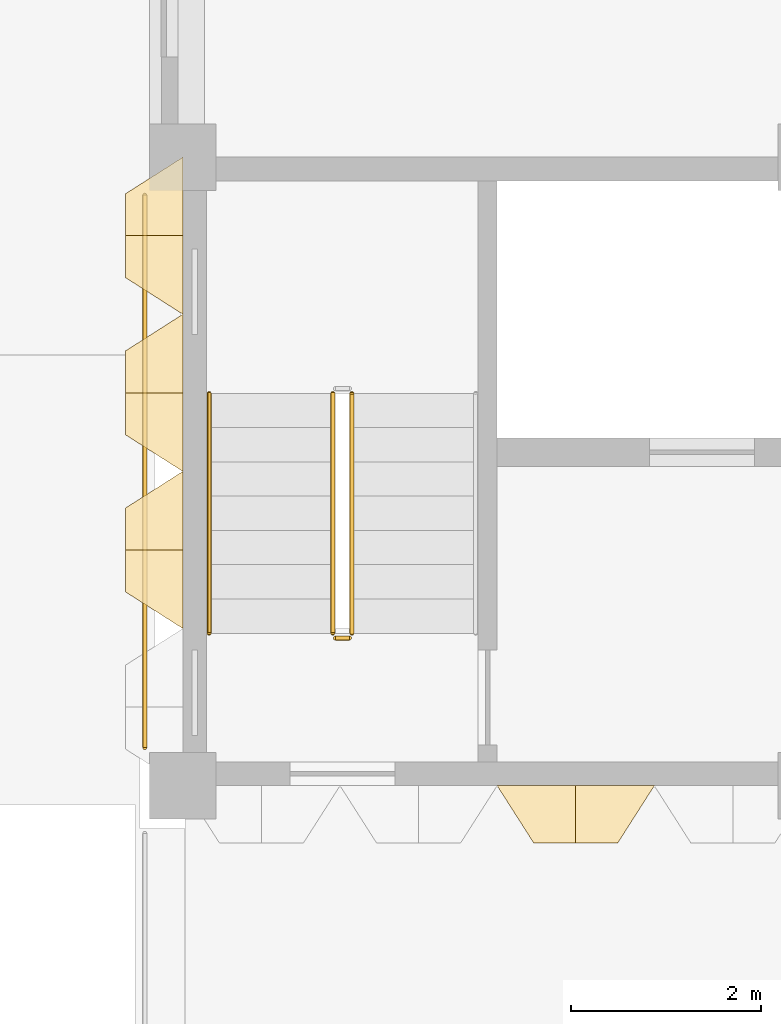
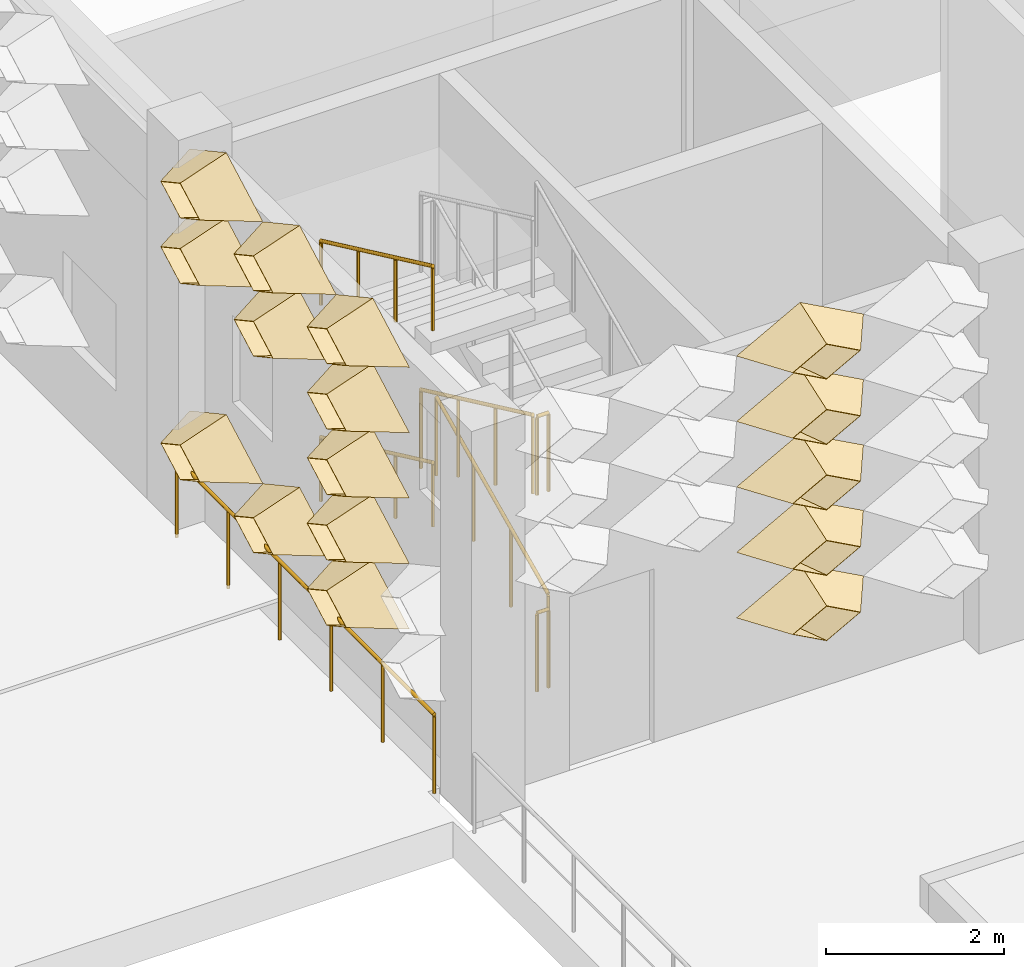
# One storey, part 55 of 85: 16 coverings, 7 railings.
"""IFC4 building model written with IfcOpenShell, lengths in metres."""

from ifc_helpers import new_model, entity, si_unit, direction, frame, origin, origin_2d, place, context, subcontext, project, spatial, circle, extrude, material, layer, layer_set, type_object, element, save


model = new_model("IFC4")

# Units and contexts
model_context = context("Model", 3, precision=1e-05, world=origin(), true_north=direction((0.0, 1.0)))
body_context = subcontext(model_context, "Body", "Model", "MODEL_VIEW")
ifc_project = project(units=[si_unit("LENGTHUNIT", "METRE"), si_unit("AREAUNIT", "SQUARE_METRE"), si_unit("VOLUMEUNIT", "CUBIC_METRE"), si_unit("PLANEANGLEUNIT", "RADIAN"), si_unit("MASSUNIT", "GRAM", prefix="KILO")], contexts=[model_context])

# Site, building, storey
site_placement = place(None, origin())
site = spatial("IfcSite", under=ifc_project, at=site_placement, CompositionType="ELEMENT")
building_placement = place(site_placement, origin())
building = spatial("IfcBuilding", under=site, at=building_placement, Name="Lantern Court Research Institute", CompositionType="ELEMENT")
storey_placement = place(building_placement, origin())
storey = spatial("IfcBuildingStorey", under=building, at=storey_placement, Name="L00", CompositionType="ELEMENT", Elevation=0.0)

# Coverings
ifc_material_1 = material(Name="Anodised aluminium", Category="aluminium")
ifc_layer = layer(ifc_material_1, 0.01611328125)
ifc_layer_set = layer_set([ifc_layer], Name="Anodised aluminium")
covering_type = type_object("IfcCoveringType", Name="Fin cassette 1650 x 900 x 600 aluminium", PredefinedType="CLADDING", material=ifc_layer_set)
covering_1_placement = place(storey_placement, frame((4.125, 49.5, 1.35009765625), z_axis=(0.0, -1.0, 0.0), x_axis=(1.0, 0.0, 0.0)))
cartesian_point_1 = entity("IfcCartesianPoint", [0.824951171875, 0.0])
cartesian_point_2 = entity("IfcCartesianPoint", [0.79150390625, 0.0])
cartesian_point_3 = entity("IfcCartesianPoint", [0.44189453125, 0.0])
cartesian_point_4 = entity("IfcCartesianPoint", [0.43359375, 0.0])
element("IfcCovering", 1, at=covering_1_placement, inside=storey, type_object=covering_type, Name="Fin cassette V3S-L00 2.3", PredefinedType="CLADDING", context=body_context, shape_type="SweptSolid", body=[
    entity("IfcExtrudedAreaSolidTapered", entity("IfcArbitraryProfileDefWithVoids", "AREA", None, entity("IfcPolyline", [cartesian_point_1, entity("IfcCartesianPoint", [0.0, 0.449951171875]), entity("IfcCartesianPoint", [-0.824951171875, 0.0]), entity("IfcCartesianPoint", [0.0, -0.449951171875]), cartesian_point_1]), [entity("IfcPolyline", [cartesian_point_2, entity("IfcCartesianPoint", [0.0, 0.431884765625]), entity("IfcCartesianPoint", [-0.79150390625, 0.0]), entity("IfcCartesianPoint", [0.0, -0.431884765625]), cartesian_point_2])]), entity("IfcAxis2Placement3D", entity("IfcCartesianPoint", [0.0, 0.0, 0.0])), entity("IfcDirection", [0.0, 0.0, 1.0]), 0.60009765625, entity("IfcArbitraryProfileDefWithVoids", "AREA", None, entity("IfcPolyline", [cartesian_point_3, entity("IfcCartesianPoint", [0.0, 0.240966796875]), entity("IfcCartesianPoint", [-0.44189453125, 0.0]), entity("IfcCartesianPoint", [0.0, -0.240966796875]), cartesian_point_3]), [entity("IfcPolyline", [cartesian_point_4, entity("IfcCartesianPoint", [0.0, 0.236572265625]), entity("IfcCartesianPoint", [-0.43359375, 0.0]), entity("IfcCartesianPoint", [0.0, -0.236572265625]), cartesian_point_4])])),
])
covering_2_placement = place(storey_placement, frame((4.125, 49.5, 2.25), z_axis=(0.0, -1.0, 0.0), x_axis=(1.0, 0.0, 0.0)))
cartesian_point_5 = entity("IfcCartesianPoint", [0.824951171875, 0.0])
cartesian_point_6 = entity("IfcCartesianPoint", [0.79150390625, 0.0])
cartesian_point_7 = entity("IfcCartesianPoint", [0.44189453125, 0.0])
cartesian_point_8 = entity("IfcCartesianPoint", [0.43359375, 0.0])
element("IfcCovering", 2, at=covering_2_placement, inside=storey, type_object=covering_type, Name="Fin cassette V3S-L00 3.3", PredefinedType="CLADDING", context=body_context, shape_type="SweptSolid", body=[
    entity("IfcExtrudedAreaSolidTapered", entity("IfcArbitraryProfileDefWithVoids", "AREA", None, entity("IfcPolyline", [cartesian_point_5, entity("IfcCartesianPoint", [0.0, 0.449951171875]), entity("IfcCartesianPoint", [-0.824951171875, 0.0]), entity("IfcCartesianPoint", [0.0, -0.449951171875]), cartesian_point_5]), [entity("IfcPolyline", [cartesian_point_6, entity("IfcCartesianPoint", [0.0, 0.431884765625]), entity("IfcCartesianPoint", [-0.79150390625, 0.0]), entity("IfcCartesianPoint", [0.0, -0.431884765625]), cartesian_point_6])]), entity("IfcAxis2Placement3D", entity("IfcCartesianPoint", [0.0, 0.0, 0.0])), entity("IfcDirection", [0.0, 0.0, 1.0]), 0.60009765625, entity("IfcArbitraryProfileDefWithVoids", "AREA", None, entity("IfcPolyline", [cartesian_point_7, entity("IfcCartesianPoint", [0.0, 0.240966796875]), entity("IfcCartesianPoint", [-0.44189453125, 0.0]), entity("IfcCartesianPoint", [0.0, -0.240966796875]), cartesian_point_7]), [entity("IfcPolyline", [cartesian_point_8, entity("IfcCartesianPoint", [0.0, 0.236572265625]), entity("IfcCartesianPoint", [-0.43359375, 0.0]), entity("IfcCartesianPoint", [0.0, -0.236572265625]), cartesian_point_8])])),
])
covering_3_placement = place(storey_placement, frame((4.125, 49.5, 3.14990234375), z_axis=(0.0, -1.0, 0.0), x_axis=(1.0, 0.0, 0.0)))
cartesian_point_9 = entity("IfcCartesianPoint", [0.824951171875, 0.0])
cartesian_point_10 = entity("IfcCartesianPoint", [0.79150390625, 0.0])
cartesian_point_11 = entity("IfcCartesianPoint", [0.44189453125, 0.0])
cartesian_point_12 = entity("IfcCartesianPoint", [0.43359375, 0.0])
element("IfcCovering", 3, at=covering_3_placement, inside=storey, type_object=covering_type, Name="Fin cassette V3S-L00 4.3", PredefinedType="CLADDING", context=body_context, shape_type="SweptSolid", body=[
    entity("IfcExtrudedAreaSolidTapered", entity("IfcArbitraryProfileDefWithVoids", "AREA", None, entity("IfcPolyline", [cartesian_point_9, entity("IfcCartesianPoint", [0.0, 0.449951171875]), entity("IfcCartesianPoint", [-0.824951171875, 0.0]), entity("IfcCartesianPoint", [0.0, -0.449951171875]), cartesian_point_9]), [entity("IfcPolyline", [cartesian_point_10, entity("IfcCartesianPoint", [0.0, 0.431884765625]), entity("IfcCartesianPoint", [-0.79150390625, 0.0]), entity("IfcCartesianPoint", [0.0, -0.431884765625]), cartesian_point_10])]), entity("IfcAxis2Placement3D", entity("IfcCartesianPoint", [0.0, 0.0, 0.0])), entity("IfcDirection", [0.0, 0.0, 1.0]), 0.60009765625, entity("IfcArbitraryProfileDefWithVoids", "AREA", None, entity("IfcPolyline", [cartesian_point_11, entity("IfcCartesianPoint", [0.0, 0.240966796875]), entity("IfcCartesianPoint", [-0.44189453125, 0.0]), entity("IfcCartesianPoint", [0.0, -0.240966796875]), cartesian_point_11]), [entity("IfcPolyline", [cartesian_point_12, entity("IfcCartesianPoint", [0.0, 0.236572265625]), entity("IfcCartesianPoint", [-0.43359375, 0.0]), entity("IfcCartesianPoint", [0.0, -0.236572265625]), cartesian_point_12])])),
])
covering_4_placement = place(storey_placement, frame((4.125, 49.5, 4.050048828125), z_axis=(0.0, -1.0, 0.0), x_axis=(1.0, 0.0, 0.0)))
cartesian_point_13 = entity("IfcCartesianPoint", [0.824951171875, 0.0])
cartesian_point_14 = entity("IfcCartesianPoint", [0.79150390625, 0.0])
cartesian_point_15 = entity("IfcCartesianPoint", [0.44189453125, 0.0])
cartesian_point_16 = entity("IfcCartesianPoint", [0.43359375, 0.0])
element("IfcCovering", 4, at=covering_4_placement, inside=storey, type_object=covering_type, Name="Fin cassette V3S-L00 5.3", PredefinedType="CLADDING", context=body_context, shape_type="SweptSolid", body=[
    entity("IfcExtrudedAreaSolidTapered", entity("IfcArbitraryProfileDefWithVoids", "AREA", None, entity("IfcPolyline", [cartesian_point_13, entity("IfcCartesianPoint", [0.0, 0.449951171875]), entity("IfcCartesianPoint", [-0.824951171875, 0.0]), entity("IfcCartesianPoint", [0.0, -0.449951171875]), cartesian_point_13]), [entity("IfcPolyline", [cartesian_point_14, entity("IfcCartesianPoint", [0.0, 0.431884765625]), entity("IfcCartesianPoint", [-0.79150390625, 0.0]), entity("IfcCartesianPoint", [0.0, -0.431884765625]), cartesian_point_14])]), entity("IfcAxis2Placement3D", entity("IfcCartesianPoint", [0.0, 0.0, 0.0])), entity("IfcDirection", [0.0, 0.0, 1.0]), 0.60009765625, entity("IfcArbitraryProfileDefWithVoids", "AREA", None, entity("IfcPolyline", [cartesian_point_15, entity("IfcCartesianPoint", [0.0, 0.240966796875]), entity("IfcCartesianPoint", [-0.44189453125, 0.0]), entity("IfcCartesianPoint", [0.0, -0.240966796875]), cartesian_point_15]), [entity("IfcPolyline", [cartesian_point_16, entity("IfcCartesianPoint", [0.0, 0.236572265625]), entity("IfcCartesianPoint", [-0.43359375, 0.0]), entity("IfcCartesianPoint", [0.0, -0.236572265625]), cartesian_point_16])])),
])
covering_5_placement = place(storey_placement, frame((4.125, 49.5, 4.949951171875), z_axis=(0.0, -1.0, 0.0), x_axis=(1.0, 0.0, 0.0)))
cartesian_point_17 = entity("IfcCartesianPoint", [0.824951171875, 0.0])
cartesian_point_18 = entity("IfcCartesianPoint", [0.79150390625, 0.0])
cartesian_point_19 = entity("IfcCartesianPoint", [0.44189453125, 0.0])
cartesian_point_20 = entity("IfcCartesianPoint", [0.43359375, 0.0])
element("IfcCovering", 5, at=covering_5_placement, inside=storey, type_object=covering_type, Name="Fin cassette V3S-L00 6.3", PredefinedType="CLADDING", context=body_context, shape_type="SweptSolid", body=[
    entity("IfcExtrudedAreaSolidTapered", entity("IfcArbitraryProfileDefWithVoids", "AREA", None, entity("IfcPolyline", [cartesian_point_17, entity("IfcCartesianPoint", [0.0, 0.449951171875]), entity("IfcCartesianPoint", [-0.824951171875, 0.0]), entity("IfcCartesianPoint", [0.0, -0.449951171875]), cartesian_point_17]), [entity("IfcPolyline", [cartesian_point_18, entity("IfcCartesianPoint", [0.0, 0.431884765625]), entity("IfcCartesianPoint", [-0.79150390625, 0.0]), entity("IfcCartesianPoint", [0.0, -0.431884765625]), cartesian_point_18])]), entity("IfcAxis2Placement3D", entity("IfcCartesianPoint", [0.0, 0.0, 0.0])), entity("IfcDirection", [0.0, 0.0, 1.0]), 0.60009765625, entity("IfcArbitraryProfileDefWithVoids", "AREA", None, entity("IfcPolyline", [cartesian_point_19, entity("IfcCartesianPoint", [0.0, 0.240966796875]), entity("IfcCartesianPoint", [-0.44189453125, 0.0]), entity("IfcCartesianPoint", [0.0, -0.240966796875]), cartesian_point_19]), [entity("IfcPolyline", [cartesian_point_20, entity("IfcCartesianPoint", [0.0, 0.236572265625]), entity("IfcCartesianPoint", [-0.43359375, 0.0]), entity("IfcCartesianPoint", [0.0, -0.236572265625]), cartesian_point_20])])),
])
covering_6_placement = place(storey_placement, frame((0.0, 51.97509765625, 1.35009765625), z_axis=(-1.0, 0.0, 0.0), x_axis=(0.0, -1.0, 0.0)))
cartesian_point_21 = entity("IfcCartesianPoint", [0.824951171875, 0.0])
cartesian_point_22 = entity("IfcCartesianPoint", [0.79150390625, 0.0])
cartesian_point_23 = entity("IfcCartesianPoint", [0.44189453125, 0.0])
cartesian_point_24 = entity("IfcCartesianPoint", [0.43359375, 0.0])
element("IfcCovering", 6, at=covering_6_placement, inside=storey, type_object=covering_type, Name="Fin cassette V3W-L00 2.32", PredefinedType="CLADDING", context=body_context, shape_type="SweptSolid", body=[
    entity("IfcExtrudedAreaSolidTapered", entity("IfcArbitraryProfileDefWithVoids", "AREA", None, entity("IfcPolyline", [cartesian_point_21, entity("IfcCartesianPoint", [0.0, 0.449951171875]), entity("IfcCartesianPoint", [-0.824951171875, 0.0]), entity("IfcCartesianPoint", [0.0, -0.449951171875]), cartesian_point_21]), [entity("IfcPolyline", [cartesian_point_22, entity("IfcCartesianPoint", [0.0, 0.431884765625]), entity("IfcCartesianPoint", [-0.79150390625, 0.0]), entity("IfcCartesianPoint", [0.0, -0.431884765625]), cartesian_point_22])]), entity("IfcAxis2Placement3D", entity("IfcCartesianPoint", [0.0, 0.0, 0.0])), entity("IfcDirection", [0.0, 0.0, 1.0]), 0.60009765625, entity("IfcArbitraryProfileDefWithVoids", "AREA", None, entity("IfcPolyline", [cartesian_point_23, entity("IfcCartesianPoint", [0.0, 0.240966796875]), entity("IfcCartesianPoint", [-0.44189453125, 0.0]), entity("IfcCartesianPoint", [0.0, -0.240966796875]), cartesian_point_23]), [entity("IfcPolyline", [cartesian_point_24, entity("IfcCartesianPoint", [0.0, 0.236572265625]), entity("IfcCartesianPoint", [-0.43359375, 0.0]), entity("IfcCartesianPoint", [0.0, -0.236572265625]), cartesian_point_24])])),
])
covering_7_placement = place(storey_placement, frame((0.0, 53.625, 1.35009765625), z_axis=(-1.0, 0.0, 0.0), x_axis=(0.0, -1.0, 0.0)))
cartesian_point_25 = entity("IfcCartesianPoint", [0.824951171875, 0.0])
cartesian_point_26 = entity("IfcCartesianPoint", [0.79150390625, 0.0])
cartesian_point_27 = entity("IfcCartesianPoint", [0.44189453125, 0.0])
cartesian_point_28 = entity("IfcCartesianPoint", [0.43359375, 0.0])
element("IfcCovering", 7, at=covering_7_placement, inside=storey, type_object=covering_type, Name="Fin cassette V3W-L00 2.33", PredefinedType="CLADDING", context=body_context, shape_type="SweptSolid", body=[
    entity("IfcExtrudedAreaSolidTapered", entity("IfcArbitraryProfileDefWithVoids", "AREA", None, entity("IfcPolyline", [cartesian_point_25, entity("IfcCartesianPoint", [0.0, 0.449951171875]), entity("IfcCartesianPoint", [-0.824951171875, 0.0]), entity("IfcCartesianPoint", [0.0, -0.449951171875]), cartesian_point_25]), [entity("IfcPolyline", [cartesian_point_26, entity("IfcCartesianPoint", [0.0, 0.431884765625]), entity("IfcCartesianPoint", [-0.79150390625, 0.0]), entity("IfcCartesianPoint", [0.0, -0.431884765625]), cartesian_point_26])]), entity("IfcAxis2Placement3D", entity("IfcCartesianPoint", [0.0, 0.0, 0.0])), entity("IfcDirection", [0.0, 0.0, 1.0]), 0.60009765625, entity("IfcArbitraryProfileDefWithVoids", "AREA", None, entity("IfcPolyline", [cartesian_point_27, entity("IfcCartesianPoint", [0.0, 0.240966796875]), entity("IfcCartesianPoint", [-0.44189453125, 0.0]), entity("IfcCartesianPoint", [0.0, -0.240966796875]), cartesian_point_27]), [entity("IfcPolyline", [cartesian_point_28, entity("IfcCartesianPoint", [0.0, 0.236572265625]), entity("IfcCartesianPoint", [-0.43359375, 0.0]), entity("IfcCartesianPoint", [0.0, -0.236572265625]), cartesian_point_28])])),
])
covering_8_placement = place(storey_placement, frame((0.0, 55.27490234375, 1.35009765625), z_axis=(-1.0, 0.0, 0.0), x_axis=(0.0, -1.0, 0.0)))
cartesian_point_29 = entity("IfcCartesianPoint", [0.824951171875, 0.0])
cartesian_point_30 = entity("IfcCartesianPoint", [0.79150390625, 0.0])
cartesian_point_31 = entity("IfcCartesianPoint", [0.44189453125, 0.0])
cartesian_point_32 = entity("IfcCartesianPoint", [0.43359375, 0.0])
element("IfcCovering", 8, at=covering_8_placement, inside=storey, type_object=covering_type, Name="Fin cassette V3W-L00 2.34", PredefinedType="CLADDING", context=body_context, shape_type="SweptSolid", body=[
    entity("IfcExtrudedAreaSolidTapered", entity("IfcArbitraryProfileDefWithVoids", "AREA", None, entity("IfcPolyline", [cartesian_point_29, entity("IfcCartesianPoint", [0.0, 0.449951171875]), entity("IfcCartesianPoint", [-0.824951171875, 0.0]), entity("IfcCartesianPoint", [0.0, -0.449951171875]), cartesian_point_29]), [entity("IfcPolyline", [cartesian_point_30, entity("IfcCartesianPoint", [0.0, 0.431884765625]), entity("IfcCartesianPoint", [-0.79150390625, 0.0]), entity("IfcCartesianPoint", [0.0, -0.431884765625]), cartesian_point_30])]), entity("IfcAxis2Placement3D", entity("IfcCartesianPoint", [0.0, 0.0, 0.0])), entity("IfcDirection", [0.0, 0.0, 1.0]), 0.60009765625, entity("IfcArbitraryProfileDefWithVoids", "AREA", None, entity("IfcPolyline", [cartesian_point_31, entity("IfcCartesianPoint", [0.0, 0.240966796875]), entity("IfcCartesianPoint", [-0.44189453125, 0.0]), entity("IfcCartesianPoint", [0.0, -0.240966796875]), cartesian_point_31]), [entity("IfcPolyline", [cartesian_point_32, entity("IfcCartesianPoint", [0.0, 0.236572265625]), entity("IfcCartesianPoint", [-0.43359375, 0.0]), entity("IfcCartesianPoint", [0.0, -0.236572265625]), cartesian_point_32])])),
])
covering_9_placement = place(storey_placement, frame((0.0, 51.97509765625, 2.25), z_axis=(-1.0, 0.0, 0.0), x_axis=(0.0, -1.0, 0.0)))
cartesian_point_33 = entity("IfcCartesianPoint", [0.824951171875, 0.0])
cartesian_point_34 = entity("IfcCartesianPoint", [0.79150390625, 0.0])
cartesian_point_35 = entity("IfcCartesianPoint", [0.44189453125, 0.0])
cartesian_point_36 = entity("IfcCartesianPoint", [0.43359375, 0.0])
element("IfcCovering", 9, at=covering_9_placement, inside=storey, type_object=covering_type, Name="Fin cassette V3W-L00 3.32", PredefinedType="CLADDING", context=body_context, shape_type="SweptSolid", body=[
    entity("IfcExtrudedAreaSolidTapered", entity("IfcArbitraryProfileDefWithVoids", "AREA", None, entity("IfcPolyline", [cartesian_point_33, entity("IfcCartesianPoint", [0.0, 0.449951171875]), entity("IfcCartesianPoint", [-0.824951171875, 0.0]), entity("IfcCartesianPoint", [0.0, -0.449951171875]), cartesian_point_33]), [entity("IfcPolyline", [cartesian_point_34, entity("IfcCartesianPoint", [0.0, 0.431884765625]), entity("IfcCartesianPoint", [-0.79150390625, 0.0]), entity("IfcCartesianPoint", [0.0, -0.431884765625]), cartesian_point_34])]), entity("IfcAxis2Placement3D", entity("IfcCartesianPoint", [0.0, 0.0, 0.0])), entity("IfcDirection", [0.0, 0.0, 1.0]), 0.60009765625, entity("IfcArbitraryProfileDefWithVoids", "AREA", None, entity("IfcPolyline", [cartesian_point_35, entity("IfcCartesianPoint", [0.0, 0.240966796875]), entity("IfcCartesianPoint", [-0.44189453125, 0.0]), entity("IfcCartesianPoint", [0.0, -0.240966796875]), cartesian_point_35]), [entity("IfcPolyline", [cartesian_point_36, entity("IfcCartesianPoint", [0.0, 0.236572265625]), entity("IfcCartesianPoint", [-0.43359375, 0.0]), entity("IfcCartesianPoint", [0.0, -0.236572265625]), cartesian_point_36])])),
])
covering_10_placement = place(storey_placement, frame((0.0, 51.97509765625, 3.14990234375), z_axis=(-1.0, 0.0, 0.0), x_axis=(0.0, -1.0, 0.0)))
cartesian_point_37 = entity("IfcCartesianPoint", [0.824951171875, 0.0])
cartesian_point_38 = entity("IfcCartesianPoint", [0.79150390625, 0.0])
cartesian_point_39 = entity("IfcCartesianPoint", [0.44189453125, 0.0])
cartesian_point_40 = entity("IfcCartesianPoint", [0.43359375, 0.0])
element("IfcCovering", 10, at=covering_10_placement, inside=storey, type_object=covering_type, Name="Fin cassette V3W-L00 4.32", PredefinedType="CLADDING", context=body_context, shape_type="SweptSolid", body=[
    entity("IfcExtrudedAreaSolidTapered", entity("IfcArbitraryProfileDefWithVoids", "AREA", None, entity("IfcPolyline", [cartesian_point_37, entity("IfcCartesianPoint", [0.0, 0.449951171875]), entity("IfcCartesianPoint", [-0.824951171875, 0.0]), entity("IfcCartesianPoint", [0.0, -0.449951171875]), cartesian_point_37]), [entity("IfcPolyline", [cartesian_point_38, entity("IfcCartesianPoint", [0.0, 0.431884765625]), entity("IfcCartesianPoint", [-0.79150390625, 0.0]), entity("IfcCartesianPoint", [0.0, -0.431884765625]), cartesian_point_38])]), entity("IfcAxis2Placement3D", entity("IfcCartesianPoint", [0.0, 0.0, 0.0])), entity("IfcDirection", [0.0, 0.0, 1.0]), 0.60009765625, entity("IfcArbitraryProfileDefWithVoids", "AREA", None, entity("IfcPolyline", [cartesian_point_39, entity("IfcCartesianPoint", [0.0, 0.240966796875]), entity("IfcCartesianPoint", [-0.44189453125, 0.0]), entity("IfcCartesianPoint", [0.0, -0.240966796875]), cartesian_point_39]), [entity("IfcPolyline", [cartesian_point_40, entity("IfcCartesianPoint", [0.0, 0.236572265625]), entity("IfcCartesianPoint", [-0.43359375, 0.0]), entity("IfcCartesianPoint", [0.0, -0.236572265625]), cartesian_point_40])])),
])
covering_11_placement = place(storey_placement, frame((0.0, 51.97509765625, 4.050048828125), z_axis=(-1.0, 0.0, 0.0), x_axis=(0.0, -1.0, 0.0)))
cartesian_point_41 = entity("IfcCartesianPoint", [0.824951171875, 0.0])
cartesian_point_42 = entity("IfcCartesianPoint", [0.79150390625, 0.0])
cartesian_point_43 = entity("IfcCartesianPoint", [0.44189453125, 0.0])
cartesian_point_44 = entity("IfcCartesianPoint", [0.43359375, 0.0])
element("IfcCovering", 11, at=covering_11_placement, inside=storey, type_object=covering_type, Name="Fin cassette V3W-L00 5.32", PredefinedType="CLADDING", context=body_context, shape_type="SweptSolid", body=[
    entity("IfcExtrudedAreaSolidTapered", entity("IfcArbitraryProfileDefWithVoids", "AREA", None, entity("IfcPolyline", [cartesian_point_41, entity("IfcCartesianPoint", [0.0, 0.449951171875]), entity("IfcCartesianPoint", [-0.824951171875, 0.0]), entity("IfcCartesianPoint", [0.0, -0.449951171875]), cartesian_point_41]), [entity("IfcPolyline", [cartesian_point_42, entity("IfcCartesianPoint", [0.0, 0.431884765625]), entity("IfcCartesianPoint", [-0.79150390625, 0.0]), entity("IfcCartesianPoint", [0.0, -0.431884765625]), cartesian_point_42])]), entity("IfcAxis2Placement3D", entity("IfcCartesianPoint", [0.0, 0.0, 0.0])), entity("IfcDirection", [0.0, 0.0, 1.0]), 0.60009765625, entity("IfcArbitraryProfileDefWithVoids", "AREA", None, entity("IfcPolyline", [cartesian_point_43, entity("IfcCartesianPoint", [0.0, 0.240966796875]), entity("IfcCartesianPoint", [-0.44189453125, 0.0]), entity("IfcCartesianPoint", [0.0, -0.240966796875]), cartesian_point_43]), [entity("IfcPolyline", [cartesian_point_44, entity("IfcCartesianPoint", [0.0, 0.236572265625]), entity("IfcCartesianPoint", [-0.43359375, 0.0]), entity("IfcCartesianPoint", [0.0, -0.236572265625]), cartesian_point_44])])),
])
covering_12_placement = place(storey_placement, frame((0.0, 53.625, 4.050048828125), z_axis=(-1.0, 0.0, 0.0), x_axis=(0.0, -1.0, 0.0)))
cartesian_point_45 = entity("IfcCartesianPoint", [0.824951171875, 0.0])
cartesian_point_46 = entity("IfcCartesianPoint", [0.79150390625, 0.0])
cartesian_point_47 = entity("IfcCartesianPoint", [0.44189453125, 0.0])
cartesian_point_48 = entity("IfcCartesianPoint", [0.43359375, 0.0])
element("IfcCovering", 12, at=covering_12_placement, inside=storey, type_object=covering_type, Name="Fin cassette V3W-L00 5.33", PredefinedType="CLADDING", context=body_context, shape_type="SweptSolid", body=[
    entity("IfcExtrudedAreaSolidTapered", entity("IfcArbitraryProfileDefWithVoids", "AREA", None, entity("IfcPolyline", [cartesian_point_45, entity("IfcCartesianPoint", [0.0, 0.449951171875]), entity("IfcCartesianPoint", [-0.824951171875, 0.0]), entity("IfcCartesianPoint", [0.0, -0.449951171875]), cartesian_point_45]), [entity("IfcPolyline", [cartesian_point_46, entity("IfcCartesianPoint", [0.0, 0.431884765625]), entity("IfcCartesianPoint", [-0.79150390625, 0.0]), entity("IfcCartesianPoint", [0.0, -0.431884765625]), cartesian_point_46])]), entity("IfcAxis2Placement3D", entity("IfcCartesianPoint", [0.0, 0.0, 0.0])), entity("IfcDirection", [0.0, 0.0, 1.0]), 0.60009765625, entity("IfcArbitraryProfileDefWithVoids", "AREA", None, entity("IfcPolyline", [cartesian_point_47, entity("IfcCartesianPoint", [0.0, 0.240966796875]), entity("IfcCartesianPoint", [-0.44189453125, 0.0]), entity("IfcCartesianPoint", [0.0, -0.240966796875]), cartesian_point_47]), [entity("IfcPolyline", [cartesian_point_48, entity("IfcCartesianPoint", [0.0, 0.236572265625]), entity("IfcCartesianPoint", [-0.43359375, 0.0]), entity("IfcCartesianPoint", [0.0, -0.236572265625]), cartesian_point_48])])),
])
covering_13_placement = place(storey_placement, frame((0.0, 55.27490234375, 4.050048828125), z_axis=(-1.0, 0.0, 0.0), x_axis=(0.0, -1.0, 0.0)))
cartesian_point_49 = entity("IfcCartesianPoint", [0.824951171875, 0.0])
cartesian_point_50 = entity("IfcCartesianPoint", [0.79150390625, 0.0])
cartesian_point_51 = entity("IfcCartesianPoint", [0.44189453125, 0.0])
cartesian_point_52 = entity("IfcCartesianPoint", [0.43359375, 0.0])
element("IfcCovering", 13, at=covering_13_placement, inside=storey, type_object=covering_type, Name="Fin cassette V3W-L00 5.34", PredefinedType="CLADDING", context=body_context, shape_type="SweptSolid", body=[
    entity("IfcExtrudedAreaSolidTapered", entity("IfcArbitraryProfileDefWithVoids", "AREA", None, entity("IfcPolyline", [cartesian_point_49, entity("IfcCartesianPoint", [0.0, 0.449951171875]), entity("IfcCartesianPoint", [-0.824951171875, 0.0]), entity("IfcCartesianPoint", [0.0, -0.449951171875]), cartesian_point_49]), [entity("IfcPolyline", [cartesian_point_50, entity("IfcCartesianPoint", [0.0, 0.431884765625]), entity("IfcCartesianPoint", [-0.79150390625, 0.0]), entity("IfcCartesianPoint", [0.0, -0.431884765625]), cartesian_point_50])]), entity("IfcAxis2Placement3D", entity("IfcCartesianPoint", [0.0, 0.0, 0.0])), entity("IfcDirection", [0.0, 0.0, 1.0]), 0.60009765625, entity("IfcArbitraryProfileDefWithVoids", "AREA", None, entity("IfcPolyline", [cartesian_point_51, entity("IfcCartesianPoint", [0.0, 0.240966796875]), entity("IfcCartesianPoint", [-0.44189453125, 0.0]), entity("IfcCartesianPoint", [0.0, -0.240966796875]), cartesian_point_51]), [entity("IfcPolyline", [cartesian_point_52, entity("IfcCartesianPoint", [0.0, 0.236572265625]), entity("IfcCartesianPoint", [-0.43359375, 0.0]), entity("IfcCartesianPoint", [0.0, -0.236572265625]), cartesian_point_52])])),
])
covering_14_placement = place(storey_placement, frame((0.0, 51.97509765625, 4.949951171875), z_axis=(-1.0, 0.0, 0.0), x_axis=(0.0, -1.0, 0.0)))
cartesian_point_53 = entity("IfcCartesianPoint", [0.824951171875, 0.0])
cartesian_point_54 = entity("IfcCartesianPoint", [0.79150390625, 0.0])
cartesian_point_55 = entity("IfcCartesianPoint", [0.44189453125, 0.0])
cartesian_point_56 = entity("IfcCartesianPoint", [0.43359375, 0.0])
element("IfcCovering", 14, at=covering_14_placement, inside=storey, type_object=covering_type, Name="Fin cassette V3W-L00 6.32", PredefinedType="CLADDING", context=body_context, shape_type="SweptSolid", body=[
    entity("IfcExtrudedAreaSolidTapered", entity("IfcArbitraryProfileDefWithVoids", "AREA", None, entity("IfcPolyline", [cartesian_point_53, entity("IfcCartesianPoint", [0.0, 0.449951171875]), entity("IfcCartesianPoint", [-0.824951171875, 0.0]), entity("IfcCartesianPoint", [0.0, -0.449951171875]), cartesian_point_53]), [entity("IfcPolyline", [cartesian_point_54, entity("IfcCartesianPoint", [0.0, 0.431884765625]), entity("IfcCartesianPoint", [-0.79150390625, 0.0]), entity("IfcCartesianPoint", [0.0, -0.431884765625]), cartesian_point_54])]), entity("IfcAxis2Placement3D", entity("IfcCartesianPoint", [0.0, 0.0, 0.0])), entity("IfcDirection", [0.0, 0.0, 1.0]), 0.60009765625, entity("IfcArbitraryProfileDefWithVoids", "AREA", None, entity("IfcPolyline", [cartesian_point_55, entity("IfcCartesianPoint", [0.0, 0.240966796875]), entity("IfcCartesianPoint", [-0.44189453125, 0.0]), entity("IfcCartesianPoint", [0.0, -0.240966796875]), cartesian_point_55]), [entity("IfcPolyline", [cartesian_point_56, entity("IfcCartesianPoint", [0.0, 0.236572265625]), entity("IfcCartesianPoint", [-0.43359375, 0.0]), entity("IfcCartesianPoint", [0.0, -0.236572265625]), cartesian_point_56])])),
])
covering_15_placement = place(storey_placement, frame((0.0, 53.625, 4.949951171875), z_axis=(-1.0, 0.0, 0.0), x_axis=(0.0, -1.0, 0.0)))
cartesian_point_57 = entity("IfcCartesianPoint", [0.824951171875, 0.0])
cartesian_point_58 = entity("IfcCartesianPoint", [0.79150390625, 0.0])
cartesian_point_59 = entity("IfcCartesianPoint", [0.44189453125, 0.0])
cartesian_point_60 = entity("IfcCartesianPoint", [0.43359375, 0.0])
element("IfcCovering", 15, at=covering_15_placement, inside=storey, type_object=covering_type, Name="Fin cassette V3W-L00 6.33", PredefinedType="CLADDING", context=body_context, shape_type="SweptSolid", body=[
    entity("IfcExtrudedAreaSolidTapered", entity("IfcArbitraryProfileDefWithVoids", "AREA", None, entity("IfcPolyline", [cartesian_point_57, entity("IfcCartesianPoint", [0.0, 0.449951171875]), entity("IfcCartesianPoint", [-0.824951171875, 0.0]), entity("IfcCartesianPoint", [0.0, -0.449951171875]), cartesian_point_57]), [entity("IfcPolyline", [cartesian_point_58, entity("IfcCartesianPoint", [0.0, 0.431884765625]), entity("IfcCartesianPoint", [-0.79150390625, 0.0]), entity("IfcCartesianPoint", [0.0, -0.431884765625]), cartesian_point_58])]), entity("IfcAxis2Placement3D", entity("IfcCartesianPoint", [0.0, 0.0, 0.0])), entity("IfcDirection", [0.0, 0.0, 1.0]), 0.60009765625, entity("IfcArbitraryProfileDefWithVoids", "AREA", None, entity("IfcPolyline", [cartesian_point_59, entity("IfcCartesianPoint", [0.0, 0.240966796875]), entity("IfcCartesianPoint", [-0.44189453125, 0.0]), entity("IfcCartesianPoint", [0.0, -0.240966796875]), cartesian_point_59]), [entity("IfcPolyline", [cartesian_point_60, entity("IfcCartesianPoint", [0.0, 0.236572265625]), entity("IfcCartesianPoint", [-0.43359375, 0.0]), entity("IfcCartesianPoint", [0.0, -0.236572265625]), cartesian_point_60])])),
])
covering_16_placement = place(storey_placement, frame((0.0, 55.27490234375, 4.949951171875), z_axis=(-1.0, 0.0, 0.0), x_axis=(0.0, -1.0, 0.0)))
cartesian_point_61 = entity("IfcCartesianPoint", [0.824951171875, 0.0])
cartesian_point_62 = entity("IfcCartesianPoint", [0.79150390625, 0.0])
cartesian_point_63 = entity("IfcCartesianPoint", [0.44189453125, 0.0])
cartesian_point_64 = entity("IfcCartesianPoint", [0.43359375, 0.0])
element("IfcCovering", 16, at=covering_16_placement, inside=storey, type_object=covering_type, Name="Fin cassette V3W-L00 6.34", PredefinedType="CLADDING", context=body_context, shape_type="SweptSolid", body=[
    entity("IfcExtrudedAreaSolidTapered", entity("IfcArbitraryProfileDefWithVoids", "AREA", None, entity("IfcPolyline", [cartesian_point_61, entity("IfcCartesianPoint", [0.0, 0.449951171875]), entity("IfcCartesianPoint", [-0.824951171875, 0.0]), entity("IfcCartesianPoint", [0.0, -0.449951171875]), cartesian_point_61]), [entity("IfcPolyline", [cartesian_point_62, entity("IfcCartesianPoint", [0.0, 0.431884765625]), entity("IfcCartesianPoint", [-0.79150390625, 0.0]), entity("IfcCartesianPoint", [0.0, -0.431884765625]), cartesian_point_62])]), entity("IfcAxis2Placement3D", entity("IfcCartesianPoint", [0.0, 0.0, 0.0])), entity("IfcDirection", [0.0, 0.0, 1.0]), 0.60009765625, entity("IfcArbitraryProfileDefWithVoids", "AREA", None, entity("IfcPolyline", [cartesian_point_63, entity("IfcCartesianPoint", [0.0, 0.240966796875]), entity("IfcCartesianPoint", [-0.44189453125, 0.0]), entity("IfcCartesianPoint", [0.0, -0.240966796875]), cartesian_point_63]), [entity("IfcPolyline", [cartesian_point_64, entity("IfcCartesianPoint", [0.0, 0.236572265625]), entity("IfcCartesianPoint", [-0.43359375, 0.0]), entity("IfcCartesianPoint", [0.0, -0.236572265625]), cartesian_point_64])])),
])

# Railings
ifc_material_2 = material(Name="Galvanised steel S355", Category="steel")
railing_type_1 = type_object("IfcRailingType", Name="Guard 1100", PredefinedType="GUARDRAIL", material=ifc_material_2)
railing_1_placement = place(storey_placement, frame((-0.39990234375, 49.89990234375, 0.0)))
element("IfcRailing", 17, at=railing_1_placement, inside=storey, type_object=railing_type_1, Name="Edge guard BG2", PredefinedType="GUARDRAIL", context=body_context, shape_type="SweptSolid", body=[
    extrude(circle(Radius=0.02392578125, at=origin_2d()), frame((0.0, 0.0, 1.076171875), z_axis=(0.0, 1.0, 0.0), x_axis=(-1.0, 0.0, 0.0)), (0.0, 0.0, 1.0), 5.800048828125),
    extrude(circle(Radius=0.02099609375, at=origin_2d()), origin(), (0.0, 0.0, 1.0), 1.052001953125),
    extrude(circle(Radius=0.02099609375, at=origin_2d()), frame((0.0, 1.159912109375, 0.0)), (0.0, 0.0, 1.0), 1.052001953125),
    extrude(circle(Radius=0.02099609375, at=origin_2d()), frame((0.0, 2.320068359375, 0.0)), (0.0, 0.0, 1.0), 1.052001953125),
    extrude(circle(Radius=0.02099609375, at=origin_2d()), frame((0.0, 3.47998046875, 0.0)), (0.0, 0.0, 1.0), 1.052001953125),
    extrude(circle(Radius=0.02099609375, at=origin_2d()), frame((0.0, 4.64013671875, 0.0)), (0.0, 0.0, 1.0), 1.052001953125),
    extrude(circle(Radius=0.02099609375, at=origin_2d()), frame((0.0, 5.800048828125, 0.0)), (0.0, 0.0, 1.0), 1.052001953125),
])
ifc_material_3 = material(Name="Structural steel S355", Category="steel")
railing_type_2 = type_object("IfcRailingType", Name="Stair guard 1100 steel", PredefinedType="GUARDRAIL", material=ifc_material_3)
railing_2_placement = place(storey_placement, frame((1.77490234375, 51.10009765625, 0.168701171875)))
element("IfcRailing", 18, at=railing_2_placement, inside=storey, type_object=railing_type_2, Name="L00 ST-C1 stair guard 1", PredefinedType="GUARDRAIL", context=body_context, shape_type="SweptSolid", body=[
    extrude(circle(Radius=0.02392578125, at=origin_2d()), frame((0.0, 0.0, 1.076171875), z_axis=(0.0, 0.905439972488, 0.424474329284), x_axis=(-1.0, 0.0, 0.0)), (0.0, 0.0, 1.0), 2.783203125),
    extrude(circle(Radius=0.02099609375, at=origin_2d()), origin(), (0.0, 0.0, 1.0), 1.052001953125),
    extrude(circle(Radius=0.02099609375, at=origin_2d()), frame((0.0, 0.840087890625, 0.393798828125)), (0.0, 0.0, 1.0), 1.052001953125),
    extrude(circle(Radius=0.02099609375, at=origin_2d()), frame((0.0, 1.679931640625, 0.78759765625)), (0.0, 0.0, 1.0), 1.052001953125),
    extrude(circle(Radius=0.02099609375, at=origin_2d()), frame((0.0, 2.52001953125, 1.181396484375)), (0.0, 0.0, 1.0), 1.052001953125),
])
railing_3_placement = place(storey_placement, frame((1.574951171875, 53.6201171875, 1.518798828125)))
element("IfcRailing", 19, at=railing_3_placement, inside=storey, type_object=railing_type_2, Name="L00 ST-C1 stair guard 3", PredefinedType="GUARDRAIL", context=body_context, shape_type="SweptSolid", body=[
    extrude(circle(Radius=0.02392578125, at=origin_2d()), frame((0.0, 0.0, 1.076171875), z_axis=(0.0, -0.905473684625, 0.424402410988), x_axis=(1.0, 0.0, 0.0)), (0.0, 0.0, 1.0), 2.783203125),
    extrude(circle(Radius=0.02099609375, at=origin_2d()), origin(), (0.0, 0.0, 1.0), 1.052001953125),
    extrude(circle(Radius=0.02099609375, at=origin_2d()), frame((0.0, -0.840087890625, 0.393798828125)), (0.0, 0.0, 1.0), 1.052001953125),
    extrude(circle(Radius=0.02099609375, at=origin_2d()), frame((0.0, -1.679931640625, 0.787353515625)), (0.0, 0.0, 1.0), 1.052001953125),
    extrude(circle(Radius=0.02099609375, at=origin_2d()), frame((0.0, -2.52001953125, 1.18115234375)), (0.0, 0.0, 1.0), 1.052001953125),
])
for number, where, name in (
    (20, (1.75, 51.050048828125, 2.699951171875), "L00 ST-C1 stair guard 4"),
    (21, (1.75, 51.050048828125, 0.0), "L00 ST-C1 stair guard 8"),
):
    element("IfcRailing", number, at=place(storey_placement, frame(where)), inside=storey, type_object=railing_type_2, Name=name, PredefinedType="GUARDRAIL", context=body_context, shape_type="SweptSolid", body=[
        extrude(circle(Radius=0.02392578125, at=origin_2d()), frame((0.0, 0.0, 1.076171875), z_axis=(-1.0, 0.0, 0.0), x_axis=(0.0, -1.0, 0.0)), (0.0, 0.0, 1.0), 0.14990234375),
        extrude(circle(Radius=0.02099609375, at=origin_2d()), origin(), (0.0, 0.0, 1.0), 1.052001953125),
        extrude(circle(Radius=0.02099609375, at=origin_2d()), frame((-0.14990234375, 0.0, 0.0)), (0.0, 0.0, 1.0), 1.052001953125),
    ])
ifc_material_4 = material(Name="Stainless steel 316", Category="steel")
railing_type_3 = type_object("IfcRailingType", Name="Stair handrail 900 steel", PredefinedType="HANDRAIL", material=ifc_material_4)
for number, where, name in (
    (22, (0.27490234375, 53.6201171875, 1.518798828125), "L00 ST-C1 stair handrail 2"),
    (23, (0.27490234375, 53.6201171875, 4.21875), "L00 ST-C1 stair handrail 4"),
):
    element("IfcRailing", number, at=place(storey_placement, frame(where)), inside=storey, type_object=railing_type_3, Name=name, PredefinedType="HANDRAIL", context=body_context, shape_type="SweptSolid", body=[
        extrude(circle(Radius=0.02392578125, at=origin_2d()), frame((0.0, 0.0, 0.8759765625), z_axis=(0.0, -0.905473684625, 0.424402410988), x_axis=(1.0, 0.0, 0.0)), (0.0, 0.0, 1.0), 2.783203125),
        extrude(circle(Radius=0.02099609375, at=origin_2d()), origin(), (0.0, 0.0, 1.0), 0.851806640625),
        extrude(circle(Radius=0.02099609375, at=origin_2d()), frame((0.0, -0.840087890625, 0.393798828125)), (0.0, 0.0, 1.0), 0.851806640625),
        extrude(circle(Radius=0.02099609375, at=origin_2d()), frame((0.0, -1.679931640625, 0.787353515625)), (0.0, 0.0, 1.0), 0.851806640625),
        extrude(circle(Radius=0.02099609375, at=origin_2d()), frame((0.0, -2.52001953125, 1.18115234375)), (0.0, 0.0, 1.0), 0.851806640625),
    ])

save(model, "model.ifc")
